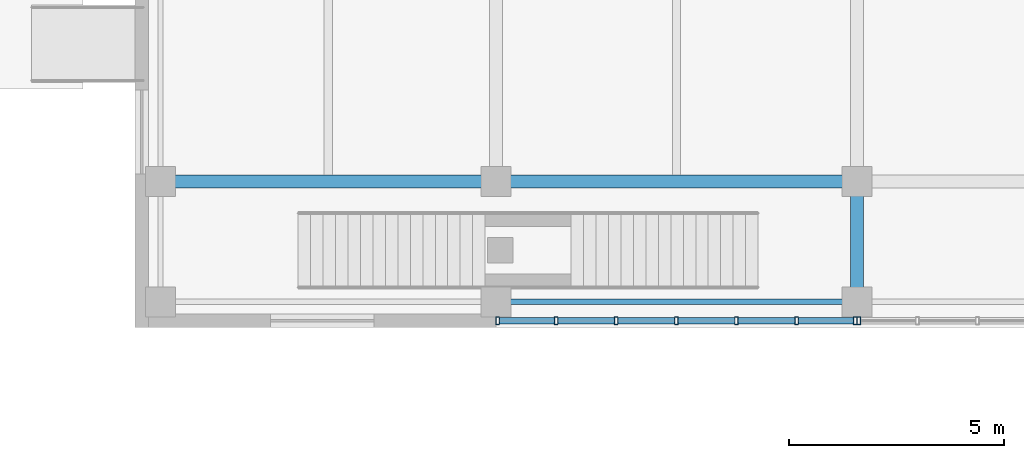
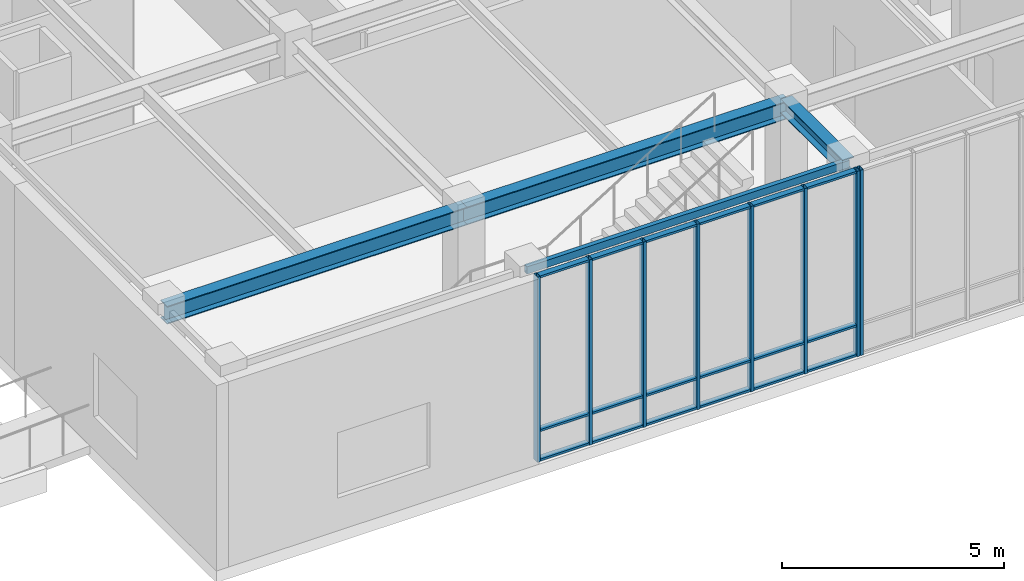
# One storey, part 68 of 122: 26 members, 4 beams, 2 elements without a shape of their own.
"""IFC4 building model written with IfcOpenShell, lengths in metres."""

from ifc_helpers import new_model, si_unit, direction, frame, origin, origin_2d, place, context, subcontext, project, spatial, hollow_rectangle, i_section, extrude, material, layer, layer_set, material_profile, profile_set, type_object, element, aggregate, save


model = new_model("IFC4")

# Units and contexts
model_context = context("Model", 3, precision=1e-05, world=origin(), true_north=direction((0.0, 1.0)))
body_context = subcontext(model_context, "Body", "Model", "MODEL_VIEW")
ifc_project = project(units=[si_unit("LENGTHUNIT", "METRE"), si_unit("AREAUNIT", "SQUARE_METRE"), si_unit("VOLUMEUNIT", "CUBIC_METRE"), si_unit("PLANEANGLEUNIT", "RADIAN"), si_unit("MASSUNIT", "GRAM", prefix="KILO")], contexts=[model_context])

# Site, building, storey
site_placement = place(None, origin())
site = spatial("IfcSite", under=ifc_project, at=site_placement, CompositionType="ELEMENT")
building_placement = place(site_placement, origin())
building = spatial("IfcBuilding", under=site, at=building_placement, Name="Zayran Congress Hotel", CompositionType="ELEMENT")
storey_placement = place(building_placement, origin())
storey = spatial("IfcBuildingStorey", under=building, at=storey_placement, Name="L00", CompositionType="ELEMENT", Elevation=0.0)

# Beams
ifc_material_1 = material(Name="Steel S355", Category="steel")
ifc_material_profile_1 = material_profile(ifc_material_1, i_section(OverallWidth=0.300048828125, OverallDepth=0.489990234375, WebThickness=0.011962890625, FlangeThickness=0.02294921875, at=origin_2d()), Name="HEA 500")
ifc_profile_set_1 = profile_set([ifc_material_profile_1], Name="Steel S355")
beam_type_1 = type_object("IfcBeamType", Name="TP-BM-05", PredefinedType="BEAM", material=ifc_profile_set_1)
beam_1_placement = place(storey_placement, frame((151.800048828125, 9.39990234375, 4.85498046875), z_axis=(1.0, 0.0, 0.0), x_axis=(0.0, 1.0, 0.0)))
element("IfcBeam", 1, at=beam_1_placement, inside=storey, type_object=beam_type_1, Name="BM-V3-L00-1054", PredefinedType="BEAM", context=body_context, shape_type="SweptSolid", body=[
    extrude(i_section(OverallWidth=0.300048828125, OverallDepth=0.489990234375, WebThickness=0.011962890625, FlangeThickness=0.02294921875, at=origin_2d()), origin(), (0.0, 0.0, 1.0), 7.800048828125),
])
beam_2_placement = place(storey_placement, frame((159.60009765625, 9.39990234375, 4.85498046875), z_axis=(1.0, 0.0, 0.0), x_axis=(0.0, 1.0, 0.0)))
element("IfcBeam", 2, at=beam_2_placement, inside=storey, type_object=beam_type_1, Name="BM-V3-L00-1055", PredefinedType="BEAM", context=body_context, shape_type="SweptSolid", body=[
    extrude(i_section(OverallWidth=0.300048828125, OverallDepth=0.489990234375, WebThickness=0.011962890625, FlangeThickness=0.02294921875, at=origin_2d()), origin(), (0.0, 0.0, 1.0), 8.39990234375),
])
ifc_material_profile_2 = material_profile(ifc_material_1, i_section(OverallWidth=0.300048828125, OverallDepth=0.389892578125, WebThickness=0.010986328125, FlangeThickness=0.01904296875, at=origin_2d()), Name="HEA 400")
ifc_profile_set_2 = profile_set([ifc_material_profile_2], Name="Steel S355")
beam_type_2 = type_object("IfcBeamType", Name="TP-BM-06", PredefinedType="BEAM", material=ifc_profile_set_2)
beam_3_placement = place(storey_placement, frame((168.0, 6.60009765625, 4.905029296875), z_axis=(0.0, 1.0, 0.0), x_axis=(-1.0, 0.0, 0.0)))
element("IfcBeam", 3, at=beam_3_placement, inside=storey, type_object=beam_type_2, Name="BM-V3-L00-1084", PredefinedType="BEAM", context=body_context, shape_type="SweptSolid", body=[
    extrude(i_section(OverallWidth=0.300048828125, OverallDepth=0.389892578125, WebThickness=0.010986328125, FlangeThickness=0.01904296875, at=origin_2d()), origin(), (0.0, 0.0, 1.0), 2.7998046875),
])
ifc_material_profile_3 = material_profile(ifc_material_1, hollow_rectangle(XDim=0.1201171875, YDim=0.199951171875, WallThickness=0.008056640625, at=origin_2d()), Name="RHS 200x120x8")
ifc_profile_set_3 = profile_set([ifc_material_profile_3], Name="Steel S355")
beam_type_3 = type_object("IfcBeamType", Name="TP-SP-02", PredefinedType="SPANDREL", material=ifc_profile_set_3)
beam_4_placement = place(storey_placement, frame((159.60009765625, 6.60009765625, 5.0), z_axis=(1.0, 0.0, 0.0), x_axis=(0.0, 1.0, 0.0)))
element("IfcBeam", 4, at=beam_4_placement, inside=storey, type_object=beam_type_3, Name="BM-V3-L00-1050", PredefinedType="SPANDREL", context=body_context, shape_type="SweptSolid", body=[
    extrude(hollow_rectangle(XDim=0.1201171875, YDim=0.199951171875, WallThickness=0.008056640625, at=origin_2d()), origin(), (0.0, 0.0, 1.0), 8.39990234375),
])

# Curtain wall, members
ifc_material_2 = material(Name="Anodised aluminium and low-E insulated glass", Category="aluminium")
ifc_layer_1 = layer(ifc_material_2, 0.179931640625)
ifc_layer_set_1 = layer_set([ifc_layer_1], Name="Anodised aluminium and low-E insulated glass")
curtain_wall_type_1 = type_object("IfcCurtainWallType", Name="CW-V3S-L00-CW-V32-8395-5100", PredefinedType="USERDEFINED", material=ifc_layer_set_1)
curtain_wall_1_placement = place(storey_placement, origin())
curtain_wall_1 = element("IfcCurtainWall", 5, at=curtain_wall_1_placement, inside=storey, type_object=curtain_wall_type_1, Name="CW-V3S-L00-1", ObjectType="CURTAIN WALL", PredefinedType="USERDEFINED")
ifc_material_3 = material(Name="Anodised aluminium framing", Category="aluminium")
ifc_material_profile_4 = material_profile(ifc_material_3, hollow_rectangle(XDim=0.080078125, YDim=0.179931640625, WallThickness=0.0048828125, at=origin_2d()), Name="RHS 180x80x5")
ifc_profile_set_4 = profile_set([ifc_material_profile_4], Name="Anodised aluminium framing")
member_type_1 = type_object("IfcMemberType", Name="TP-CWM-01", PredefinedType="MULLION", material=ifc_profile_set_4)
member_1_placement = place(storey_placement, frame((159.639892578125, 6.159912109375, 0.0), z_axis=(0.0, 0.0, 1.0), x_axis=(1.0, 0.0, 0.0)))
member_1 = element("IfcMember", 6, at=member_1_placement, type_object=member_type_1, Name="CW-V3S-L00-1-M00", PredefinedType="MULLION", context=body_context, shape_type="SweptSolid", body=[
    extrude(hollow_rectangle(XDim=0.080078125, YDim=0.179931640625, WallThickness=0.0048828125, at=origin_2d()), origin(), (0.0, 0.0, 1.0), 5.10009765625),
])
member_2_placement = place(storey_placement, frame((160.999267578125, 6.159912109375, 0.0), z_axis=(0.0, 0.0, 1.0), x_axis=(1.0, 0.0, 0.0)))
member_2 = element("IfcMember", 7, at=member_2_placement, type_object=member_type_1, Name="CW-V3S-L00-1-M01", PredefinedType="MULLION", context=body_context, shape_type="SweptSolid", body=[
    extrude(hollow_rectangle(XDim=0.080078125, YDim=0.179931640625, WallThickness=0.0048828125, at=origin_2d()), origin(), (0.0, 0.0, 1.0), 5.10009765625),
])
member_3_placement = place(storey_placement, frame((162.398193359375, 6.159912109375, 0.0), z_axis=(0.0, 0.0, 1.0), x_axis=(1.0, 0.0, 0.0)))
member_3 = element("IfcMember", 8, at=member_3_placement, type_object=member_type_1, Name="CW-V3S-L00-1-M02", PredefinedType="MULLION", context=body_context, shape_type="SweptSolid", body=[
    extrude(hollow_rectangle(XDim=0.080078125, YDim=0.179931640625, WallThickness=0.0048828125, at=origin_2d()), origin(), (0.0, 0.0, 1.0), 5.10009765625),
])
member_4_placement = place(storey_placement, frame((163.797607421875, 6.159912109375, 0.0), z_axis=(0.0, 0.0, 1.0), x_axis=(1.0, 0.0, 0.0)))
member_4 = element("IfcMember", 9, at=member_4_placement, type_object=member_type_1, Name="CW-V3S-L00-1-M03", PredefinedType="MULLION", context=body_context, shape_type="SweptSolid", body=[
    extrude(hollow_rectangle(XDim=0.080078125, YDim=0.179931640625, WallThickness=0.0048828125, at=origin_2d()), origin(), (0.0, 0.0, 1.0), 5.10009765625),
])
member_5_placement = place(storey_placement, frame((165.19677734375, 6.159912109375, 0.0), z_axis=(0.0, 0.0, 1.0), x_axis=(1.0, 0.0, 0.0)))
member_5 = element("IfcMember", 10, at=member_5_placement, type_object=member_type_1, Name="CW-V3S-L00-1-M04", PredefinedType="MULLION", context=body_context, shape_type="SweptSolid", body=[
    extrude(hollow_rectangle(XDim=0.080078125, YDim=0.179931640625, WallThickness=0.0048828125, at=origin_2d()), origin(), (0.0, 0.0, 1.0), 5.10009765625),
])
member_6_placement = place(storey_placement, frame((166.595703125, 6.159912109375, 0.0), z_axis=(0.0, 0.0, 1.0), x_axis=(1.0, 0.0, 0.0)))
member_6 = element("IfcMember", 11, at=member_6_placement, type_object=member_type_1, Name="CW-V3S-L00-1-M05", PredefinedType="MULLION", context=body_context, shape_type="SweptSolid", body=[
    extrude(hollow_rectangle(XDim=0.080078125, YDim=0.179931640625, WallThickness=0.0048828125, at=origin_2d()), origin(), (0.0, 0.0, 1.0), 5.10009765625),
])
member_7_placement = place(storey_placement, frame((167.955078125, 6.159912109375, 0.0), z_axis=(0.0, 0.0, 1.0), x_axis=(1.0, 0.0, 0.0)))
member_7 = element("IfcMember", 12, at=member_7_placement, type_object=member_type_1, Name="CW-V3S-L00-1-M06", PredefinedType="MULLION", context=body_context, shape_type="SweptSolid", body=[
    extrude(hollow_rectangle(XDim=0.080078125, YDim=0.179931640625, WallThickness=0.0048828125, at=origin_2d()), origin(), (0.0, 0.0, 1.0), 5.10009765625),
])

# Curtain wall, member
ifc_layer_2 = layer(ifc_material_2, 0.179931640625)
ifc_layer_set_2 = layer_set([ifc_layer_2], Name="Anodised aluminium and low-E insulated glass")
curtain_wall_type_2 = type_object("IfcCurtainWallType", Name="CW-V3S-L00-CW-V31-8390-5100", PredefinedType="USERDEFINED", material=ifc_layer_set_2)
curtain_wall_2_placement = place(storey_placement, origin())
curtain_wall_2 = element("IfcCurtainWall", 13, at=curtain_wall_2_placement, inside=storey, type_object=curtain_wall_type_2, Name="CW-V3S-L00-2", ObjectType="CURTAIN WALL", PredefinedType="USERDEFINED")
member_8_placement = place(storey_placement, frame((168.044921875, 6.159912109375, 0.0), z_axis=(0.0, 0.0, 1.0), x_axis=(1.0, 0.0, 0.0)))
member_8 = element("IfcMember", 14, at=member_8_placement, type_object=member_type_1, Name="CW-V3S-L00-2-M00", PredefinedType="MULLION", context=body_context, shape_type="SweptSolid", body=[
    extrude(hollow_rectangle(XDim=0.080078125, YDim=0.179931640625, WallThickness=0.0048828125, at=origin_2d()), origin(), (0.0, 0.0, 1.0), 5.10009765625),
])
aggregate(curtain_wall_2, [member_8])

# Member
ifc_material_profile_5 = material_profile(ifc_material_3, hollow_rectangle(XDim=0.06005859375, YDim=0.14990234375, WallThickness=0.00390625, at=origin_2d()), Name="RHS 150x60x4")
ifc_profile_set_5 = profile_set([ifc_material_profile_5], Name="Anodised aluminium framing")
member_type_2 = type_object("IfcMemberType", Name="TP-CWT-01", PredefinedType="USERDEFINED", material=ifc_profile_set_5)
member_9_placement = place(storey_placement, frame((159.679931640625, 6.159912109375, 0.030029296875), z_axis=(1.0, 0.0, 0.0), x_axis=(0.0, 0.0, 1.0)))
member_9 = element("IfcMember", 15, at=member_9_placement, type_object=member_type_2, Name="CW-V3S-L00-1-T00-0", ObjectType="TRANSOM", PredefinedType="USERDEFINED", context=body_context, shape_type="SweptSolid", body=[
    extrude(hollow_rectangle(XDim=0.06005859375, YDim=0.14990234375, WallThickness=0.00390625, at=origin_2d()), origin(), (0.0, 0.0, 1.0), 1.279296875),
])

member_10_placement = place(storey_placement, frame((159.679931640625, 6.159912109375, 0.840087890625), z_axis=(1.0, 0.0, 0.0), x_axis=(0.0, 0.0, 1.0)))
member_10 = element("IfcMember", 16, at=member_10_placement, type_object=member_type_2, Name="CW-V3S-L00-1-T00-1", ObjectType="TRANSOM", PredefinedType="USERDEFINED", context=body_context, shape_type="SweptSolid", body=[
    extrude(hollow_rectangle(XDim=0.06005859375, YDim=0.14990234375, WallThickness=0.00390625, at=origin_2d()), origin(), (0.0, 0.0, 1.0), 1.279296875),
])

member_11_placement = place(storey_placement, frame((159.679931640625, 6.159912109375, 5.070068359375), z_axis=(1.0, 0.0, 0.0), x_axis=(0.0, 0.0, 1.0)))
member_11 = element("IfcMember", 17, at=member_11_placement, type_object=member_type_2, Name="CW-V3S-L00-1-T00-2", ObjectType="TRANSOM", PredefinedType="USERDEFINED", context=body_context, shape_type="SweptSolid", body=[
    extrude(hollow_rectangle(XDim=0.06005859375, YDim=0.14990234375, WallThickness=0.00390625, at=origin_2d()), origin(), (0.0, 0.0, 1.0), 1.279296875),
])

member_12_placement = place(storey_placement, frame((161.039306640625, 6.159912109375, 0.030029296875), z_axis=(1.0, 0.0, 0.0), x_axis=(0.0, 0.0, 1.0)))
member_12 = element("IfcMember", 18, at=member_12_placement, type_object=member_type_2, Name="CW-V3S-L00-1-T01-0", ObjectType="TRANSOM", PredefinedType="USERDEFINED", context=body_context, shape_type="SweptSolid", body=[
    extrude(hollow_rectangle(XDim=0.06005859375, YDim=0.14990234375, WallThickness=0.00390625, at=origin_2d()), origin(), (0.0, 0.0, 1.0), 1.319091796875),
])

member_13_placement = place(storey_placement, frame((161.039306640625, 6.159912109375, 0.840087890625), z_axis=(1.0, 0.0, 0.0), x_axis=(0.0, 0.0, 1.0)))
member_13 = element("IfcMember", 19, at=member_13_placement, type_object=member_type_2, Name="CW-V3S-L00-1-T01-1", ObjectType="TRANSOM", PredefinedType="USERDEFINED", context=body_context, shape_type="SweptSolid", body=[
    extrude(hollow_rectangle(XDim=0.06005859375, YDim=0.14990234375, WallThickness=0.00390625, at=origin_2d()), origin(), (0.0, 0.0, 1.0), 1.319091796875),
])

member_14_placement = place(storey_placement, frame((161.039306640625, 6.159912109375, 5.070068359375), z_axis=(1.0, 0.0, 0.0), x_axis=(0.0, 0.0, 1.0)))
member_14 = element("IfcMember", 20, at=member_14_placement, type_object=member_type_2, Name="CW-V3S-L00-1-T01-2", ObjectType="TRANSOM", PredefinedType="USERDEFINED", context=body_context, shape_type="SweptSolid", body=[
    extrude(hollow_rectangle(XDim=0.06005859375, YDim=0.14990234375, WallThickness=0.00390625, at=origin_2d()), origin(), (0.0, 0.0, 1.0), 1.319091796875),
])

member_15_placement = place(storey_placement, frame((162.438232421875, 6.159912109375, 0.030029296875), z_axis=(1.0, 0.0, 0.0), x_axis=(0.0, 0.0, 1.0)))
member_15 = element("IfcMember", 21, at=member_15_placement, type_object=member_type_2, Name="CW-V3S-L00-1-T02-0", ObjectType="TRANSOM", PredefinedType="USERDEFINED", context=body_context, shape_type="SweptSolid", body=[
    extrude(hollow_rectangle(XDim=0.06005859375, YDim=0.14990234375, WallThickness=0.00390625, at=origin_2d()), origin(), (0.0, 0.0, 1.0), 1.3193359375),
])

member_16_placement = place(storey_placement, frame((162.438232421875, 6.159912109375, 0.840087890625), z_axis=(1.0, 0.0, 0.0), x_axis=(0.0, 0.0, 1.0)))
member_16 = element("IfcMember", 22, at=member_16_placement, type_object=member_type_2, Name="CW-V3S-L00-1-T02-1", ObjectType="TRANSOM", PredefinedType="USERDEFINED", context=body_context, shape_type="SweptSolid", body=[
    extrude(hollow_rectangle(XDim=0.06005859375, YDim=0.14990234375, WallThickness=0.00390625, at=origin_2d()), origin(), (0.0, 0.0, 1.0), 1.3193359375),
])

member_17_placement = place(storey_placement, frame((162.438232421875, 6.159912109375, 5.070068359375), z_axis=(1.0, 0.0, 0.0), x_axis=(0.0, 0.0, 1.0)))
member_17 = element("IfcMember", 23, at=member_17_placement, type_object=member_type_2, Name="CW-V3S-L00-1-T02-2", ObjectType="TRANSOM", PredefinedType="USERDEFINED", context=body_context, shape_type="SweptSolid", body=[
    extrude(hollow_rectangle(XDim=0.06005859375, YDim=0.14990234375, WallThickness=0.00390625, at=origin_2d()), origin(), (0.0, 0.0, 1.0), 1.3193359375),
])

member_18_placement = place(storey_placement, frame((163.83740234375, 6.159912109375, 0.030029296875), z_axis=(1.0, 0.0, 0.0), x_axis=(0.0, 0.0, 1.0)))
member_18 = element("IfcMember", 24, at=member_18_placement, type_object=member_type_2, Name="CW-V3S-L00-1-T03-0", ObjectType="TRANSOM", PredefinedType="USERDEFINED", context=body_context, shape_type="SweptSolid", body=[
    extrude(hollow_rectangle(XDim=0.06005859375, YDim=0.14990234375, WallThickness=0.00390625, at=origin_2d()), origin(), (0.0, 0.0, 1.0), 1.3193359375),
])

member_19_placement = place(storey_placement, frame((163.83740234375, 6.159912109375, 0.840087890625), z_axis=(1.0, 0.0, 0.0), x_axis=(0.0, 0.0, 1.0)))
member_19 = element("IfcMember", 25, at=member_19_placement, type_object=member_type_2, Name="CW-V3S-L00-1-T03-1", ObjectType="TRANSOM", PredefinedType="USERDEFINED", context=body_context, shape_type="SweptSolid", body=[
    extrude(hollow_rectangle(XDim=0.06005859375, YDim=0.14990234375, WallThickness=0.00390625, at=origin_2d()), origin(), (0.0, 0.0, 1.0), 1.3193359375),
])

member_20_placement = place(storey_placement, frame((163.83740234375, 6.159912109375, 5.070068359375), z_axis=(1.0, 0.0, 0.0), x_axis=(0.0, 0.0, 1.0)))
member_20 = element("IfcMember", 26, at=member_20_placement, type_object=member_type_2, Name="CW-V3S-L00-1-T03-2", ObjectType="TRANSOM", PredefinedType="USERDEFINED", context=body_context, shape_type="SweptSolid", body=[
    extrude(hollow_rectangle(XDim=0.06005859375, YDim=0.14990234375, WallThickness=0.00390625, at=origin_2d()), origin(), (0.0, 0.0, 1.0), 1.3193359375),
])

member_21_placement = place(storey_placement, frame((165.23681640625, 6.159912109375, 0.030029296875), z_axis=(1.0, 0.0, 0.0), x_axis=(0.0, 0.0, 1.0)))
member_21 = element("IfcMember", 27, at=member_21_placement, type_object=member_type_2, Name="CW-V3S-L00-1-T04-0", ObjectType="TRANSOM", PredefinedType="USERDEFINED", context=body_context, shape_type="SweptSolid", body=[
    extrude(hollow_rectangle(XDim=0.06005859375, YDim=0.14990234375, WallThickness=0.00390625, at=origin_2d()), origin(), (0.0, 0.0, 1.0), 1.319091796875),
])

member_22_placement = place(storey_placement, frame((165.23681640625, 6.159912109375, 0.840087890625), z_axis=(1.0, 0.0, 0.0), x_axis=(0.0, 0.0, 1.0)))
member_22 = element("IfcMember", 28, at=member_22_placement, type_object=member_type_2, Name="CW-V3S-L00-1-T04-1", ObjectType="TRANSOM", PredefinedType="USERDEFINED", context=body_context, shape_type="SweptSolid", body=[
    extrude(hollow_rectangle(XDim=0.06005859375, YDim=0.14990234375, WallThickness=0.00390625, at=origin_2d()), origin(), (0.0, 0.0, 1.0), 1.319091796875),
])

member_23_placement = place(storey_placement, frame((165.23681640625, 6.159912109375, 5.070068359375), z_axis=(1.0, 0.0, 0.0), x_axis=(0.0, 0.0, 1.0)))
member_23 = element("IfcMember", 29, at=member_23_placement, type_object=member_type_2, Name="CW-V3S-L00-1-T04-2", ObjectType="TRANSOM", PredefinedType="USERDEFINED", context=body_context, shape_type="SweptSolid", body=[
    extrude(hollow_rectangle(XDim=0.06005859375, YDim=0.14990234375, WallThickness=0.00390625, at=origin_2d()), origin(), (0.0, 0.0, 1.0), 1.319091796875),
])

member_24_placement = place(storey_placement, frame((166.6357421875, 6.159912109375, 0.030029296875), z_axis=(1.0, 0.0, 0.0), x_axis=(0.0, 0.0, 1.0)))
member_24 = element("IfcMember", 30, at=member_24_placement, type_object=member_type_2, Name="CW-V3S-L00-1-T05-0", ObjectType="TRANSOM", PredefinedType="USERDEFINED", context=body_context, shape_type="SweptSolid", body=[
    extrude(hollow_rectangle(XDim=0.06005859375, YDim=0.14990234375, WallThickness=0.00390625, at=origin_2d()), origin(), (0.0, 0.0, 1.0), 1.279296875),
])

member_25_placement = place(storey_placement, frame((166.6357421875, 6.159912109375, 0.840087890625), z_axis=(1.0, 0.0, 0.0), x_axis=(0.0, 0.0, 1.0)))
member_25 = element("IfcMember", 31, at=member_25_placement, type_object=member_type_2, Name="CW-V3S-L00-1-T05-1", ObjectType="TRANSOM", PredefinedType="USERDEFINED", context=body_context, shape_type="SweptSolid", body=[
    extrude(hollow_rectangle(XDim=0.06005859375, YDim=0.14990234375, WallThickness=0.00390625, at=origin_2d()), origin(), (0.0, 0.0, 1.0), 1.279296875),
])

member_26_placement = place(storey_placement, frame((166.6357421875, 6.159912109375, 5.070068359375), z_axis=(1.0, 0.0, 0.0), x_axis=(0.0, 0.0, 1.0)))
member_26 = element("IfcMember", 32, at=member_26_placement, type_object=member_type_2, Name="CW-V3S-L00-1-T05-2", ObjectType="TRANSOM", PredefinedType="USERDEFINED", context=body_context, shape_type="SweptSolid", body=[
    extrude(hollow_rectangle(XDim=0.06005859375, YDim=0.14990234375, WallThickness=0.00390625, at=origin_2d()), origin(), (0.0, 0.0, 1.0), 1.279296875),
])

aggregate(curtain_wall_1, [member_1, member_2, member_3, member_4, member_5, member_6, member_7, member_9, member_10, member_11, member_12, member_13, member_14, member_15, member_16, member_17, member_18, member_19, member_20, member_21, member_22, member_23, member_24, member_25, member_26])

save(model, "model.ifc")
